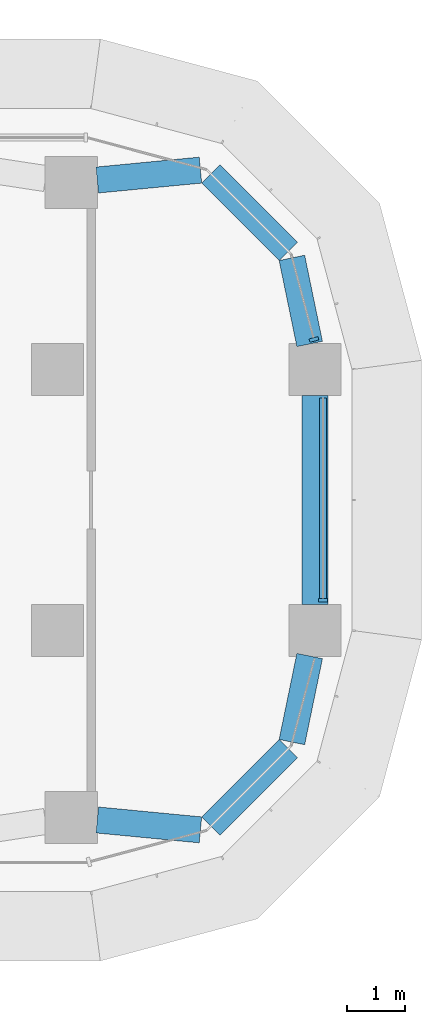
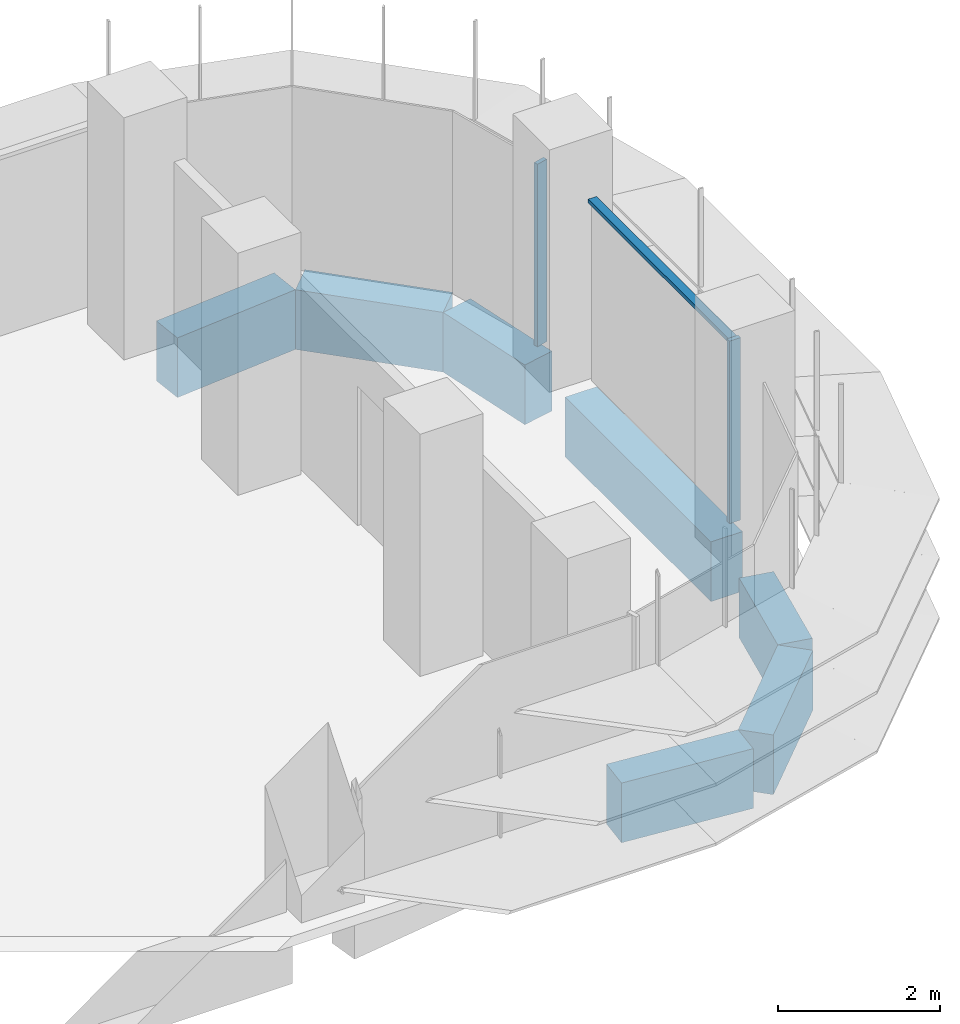
# One storey, part 10 of 21: 7 beams, 3 members, 2 elements without a shape of their own.
"""IFC4 building model written with IfcOpenShell, lengths in metres."""

from ifc_helpers import new_model, si_unit, direction, frame, origin, origin_2d, place, context, subcontext, project, spatial, polyline, rectangle, outline, extrude, source, transform, mapped, material, material_profile, profile_set, type_object, element, aggregate, save


model = new_model("IFC4")

# Units and contexts
model_context = context("Model", 3, precision=1e-05, world=origin(), true_north=direction((0.0, 1.0)))
body_context = subcontext(model_context, "Body", "Model", "MODEL_VIEW")
ifc_project = project(units=[si_unit("LENGTHUNIT", "METRE"), si_unit("AREAUNIT", "SQUARE_METRE"), si_unit("VOLUMEUNIT", "CUBIC_METRE"), si_unit("PLANEANGLEUNIT", "RADIAN"), si_unit("MASSUNIT", "GRAM", prefix="KILO")], contexts=[model_context])

# Site, building, storey
site_placement = place(None, origin())
site = spatial("IfcSite", under=ifc_project, at=site_placement, CompositionType="ELEMENT")
building_placement = place(site_placement, origin())
building = spatial("IfcBuilding", under=site, at=building_placement, Name="Zarbagh Exchange Tower", CompositionType="ELEMENT")
storey_placement = place(building_placement, frame((0.0, 0.0, 120.800048828125)))
storey = spatial("IfcBuildingStorey", under=building, at=storey_placement, Name="L28", CompositionType="ELEMENT", Elevation=120.800048828125)

# Beams
ifc_material_1 = material(Name="Concrete C60/75", Category="concrete")
ifc_material_profile = material_profile(ifc_material_1, rectangle(XDim=0.449951171875, YDim=0.89990234375, at=origin_2d()), Name="RC spandrel beam 450 x 900 C60/75")
ifc_profile_set = profile_set([ifc_material_profile], Name="Concrete C60/75")
beam_type = type_object("IfcBeamType", Name="RC spandrel beam 450 x 900 C60/75", PredefinedType="SPANDREL", material=ifc_profile_set)
beam_1_placement = place(storey_placement, frame((29.35595703125, 5.51806640625, -0.60009765625), z_axis=(0.995433267802, 0.095459988228, 0.0), x_axis=(-0.095459988228, 0.995433267802, 0.0)))
element("IfcBeam", 1, at=beam_1_placement, inside=storey, type_object=beam_type, Name="RC spandrel beam", PredefinedType="SPANDREL", context=body_context, shape_type="SweptSolid", body=[
    extrude(rectangle(XDim=0.449951171875, YDim=0.89990234375, at=origin_2d()), origin(), (0.0, 0.0, 1.0), 1.78759765625),
])
beam_2_placement = place(storey_placement, frame((31.316162109375, 5.623779296875, -0.60009765625), z_axis=(0.707106781187, -0.707106781187, 0.0), x_axis=(0.707106781187, 0.707106781187, 0.0)))
element("IfcBeam", 2, at=beam_2_placement, inside=storey, type_object=beam_type, Name="RC spandrel beam", PredefinedType="SPANDREL", context=body_context, shape_type="SweptSolid", body=[
    extrude(rectangle(XDim=0.449951171875, YDim=0.89990234375, at=origin_2d()), origin(), (0.0, 0.0, 1.0), 1.887939453125),
])
beam_3_placement = place(storey_placement, frame((32.71240234375, 4.17529296875, -0.60009765625), z_axis=(0.202275417995, -0.979328675816, 0.0), x_axis=(0.979328675816, 0.202275417995, 0.0)))
element("IfcBeam", 3, at=beam_3_placement, inside=storey, type_object=beam_type, Name="RC spandrel beam", PredefinedType="SPANDREL", context=body_context, shape_type="SweptSolid", body=[
    extrude(rectangle(XDim=0.449951171875, YDim=0.89990234375, at=origin_2d()), origin(), (0.0, 0.0, 1.0), 1.515869140625),
])
beam_4_placement = place(storey_placement, frame((33.110107421875, 1.800048828125, -0.60009765625), z_axis=(0.0, -1.0, 0.0), x_axis=(1.0, 0.0, 0.0)))
element("IfcBeam", 4, at=beam_4_placement, inside=storey, type_object=beam_type, Name="RC spandrel beam", PredefinedType="SPANDREL", context=body_context, shape_type="SweptSolid", body=[
    extrude(rectangle(XDim=0.449951171875, YDim=0.89990234375, at=origin_2d()), origin(), (0.0, 0.0, 1.0), 3.60009765625),
])
beam_5_placement = place(storey_placement, frame((33.01904296875, -2.690673828125, -0.60009765625), z_axis=(-0.202275417995, -0.979328675816, 0.0), x_axis=(0.979328675816, -0.202275417995, 0.0)))
element("IfcBeam", 5, at=beam_5_placement, inside=storey, type_object=beam_type, Name="RC spandrel beam", PredefinedType="SPANDREL", context=body_context, shape_type="SweptSolid", body=[
    extrude(rectangle(XDim=0.449951171875, YDim=0.89990234375, at=origin_2d()), origin(), (0.0, 0.0, 1.0), 1.515869140625),
])
beam_6_placement = place(storey_placement, frame((32.651123046875, -4.288818359375, -0.60009765625), z_axis=(-0.707106781187, -0.707106781187, 0.0), x_axis=(0.707106781187, -0.707106781187, 0.0)))
element("IfcBeam", 6, at=beam_6_placement, inside=storey, type_object=beam_type, Name="RC spandrel beam", PredefinedType="SPANDREL", context=body_context, shape_type="SweptSolid", body=[
    extrude(rectangle(XDim=0.449951171875, YDim=0.89990234375, at=origin_2d()), origin(), (0.0, 0.0, 1.0), 1.887939453125),
])
beam_7_placement = place(storey_placement, frame((31.135498046875, -5.688720703125, -0.60009765625), z_axis=(-0.995433267802, 0.095459988228, 0.0), x_axis=(-0.095459988228, -0.995433267802, 0.0)))
element("IfcBeam", 7, at=beam_7_placement, inside=storey, type_object=beam_type, Name="RC spandrel beam", PredefinedType="SPANDREL", context=body_context, shape_type="SweptSolid", body=[
    extrude(rectangle(XDim=0.449951171875, YDim=0.89990234375, at=origin_2d()), origin(), (0.0, 0.0, 1.0), 1.78759765625),
])

# Curtain wall, member
ifc_material_2 = material(Name="Anodised aluminium frame and glazing", Category="aluminium")
curtain_wall_type = type_object("IfcCurtainWallType", Name="CWA Ribbon glazing, lower zones", PredefinedType="NOTDEFINED", material=ifc_material_2)
curtain_wall_1_placement = place(storey_placement, origin())
curtain_wall_1 = element("IfcCurtainWall", 8, at=curtain_wall_1_placement, inside=storey, type_object=curtain_wall_type, Name="CWA12 curtain wall", PredefinedType="NOTDEFINED")
ifc_material_3 = material(Name="Anodised aluminium frame", Category="aluminium")
member_type_1 = type_object("IfcMemberType", Name="MUA Mullion, anodised aluminium frame", PredefinedType="MULLION", material=ifc_material_3)
shared_shape_1 = source(origin(), body_context, "Body", "SweptSolid", [
    extrude(outline(polyline([(0.0, -0.080078125), (0.06005859375, -0.080078125), (0.06005859375, 0.080078125), (0.0, 0.080078125), (0.0, -0.080078125)])), origin(), (0.0, 0.0, 1.0), 2.75),
])
placement = place(storey_placement, origin())
member_1 = element("IfcMember", 9, at=placement, type_object=member_type_1, Name="CWA12 mullion 1.1", PredefinedType="MULLION", context=body_context, shape_type="MappedRepresentation", body=[
    mapped(shared_shape_1, transform((33.25, -1.760009765625, 0.0), x_axis=(0.0, 1.0, 0.0), y_axis=(-1.0, 0.0, 0.0), z_axis=(0.0, 0.0, 1.0))),
])

curtain_wall_2_placement = place(storey_placement, origin())
curtain_wall_2 = element("IfcCurtainWall", 10, at=curtain_wall_2_placement, inside=storey, type_object=curtain_wall_type, Name="CWA13 curtain wall", PredefinedType="NOTDEFINED")
member_2 = element("IfcMember", 11, at=placement, type_object=member_type_1, Name="CWA13 mullion 1.1", PredefinedType="MULLION", context=body_context, shape_type="MappedRepresentation", body=[
    mapped(shared_shape_1, transform((33.10107421875, 2.739990234375, 0.0), x_axis=(-0.258824779902, 0.965924289636, 0.0), y_axis=(-0.965924289636, -0.258824779902, 0.0), z_axis=(0.0, 0.0, 1.0))),
])
aggregate(curtain_wall_2, [member_2])

# Member
member_type_2 = type_object("IfcMemberType", Name="TRA Transom, anodised aluminium frame", PredefinedType="USERDEFINED", material=ifc_material_3)
shared_shape_2 = source(origin(), body_context, "Body", "SweptSolid", [
    extrude(outline(polyline([(-0.06005859375, -0.06005859375), (0.0, -0.06005859375), (0.0, 0.06005859375), (-0.06005859375, 0.06005859375), (-0.06005859375, -0.06005859375)])), origin(), (0.0, 0.0, 1.0), 3.4599609375),
])
member_3 = element("IfcMember", 12, at=placement, type_object=member_type_2, Name="CWA12 transom 1.1", ObjectType="TRANSOM", PredefinedType="USERDEFINED", context=body_context, shape_type="MappedRepresentation", body=[
    mapped(shared_shape_2, transform((33.25, -1.699951171875, 2.75), x_axis=(0.0, 0.0, 1.0), y_axis=(1.0, 0.0, 0.0), z_axis=(0.0, 1.0, 0.0))),
])

aggregate(curtain_wall_1, [member_1, member_3])

save(model, "model.ifc")
